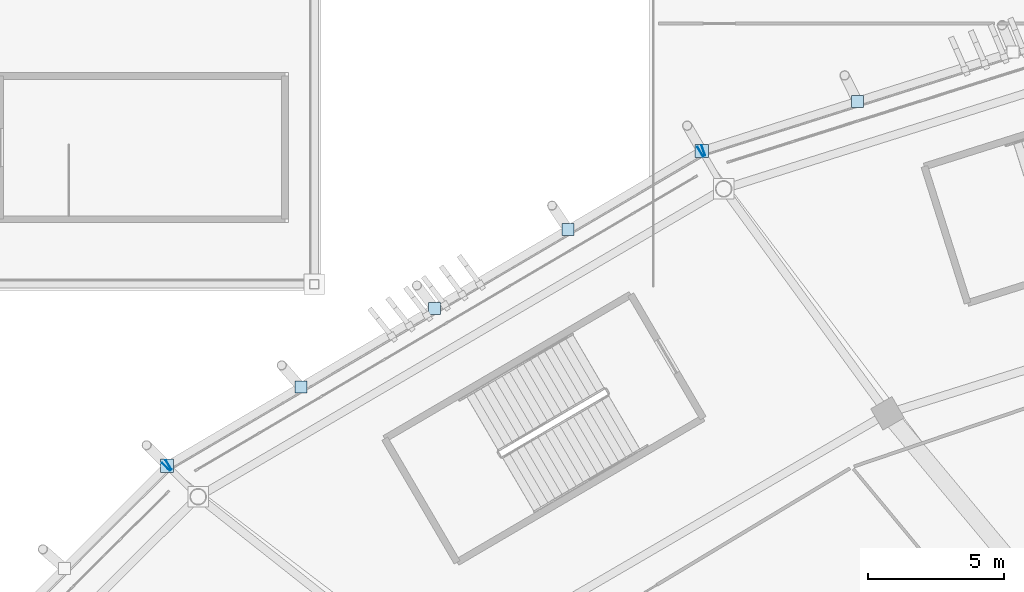
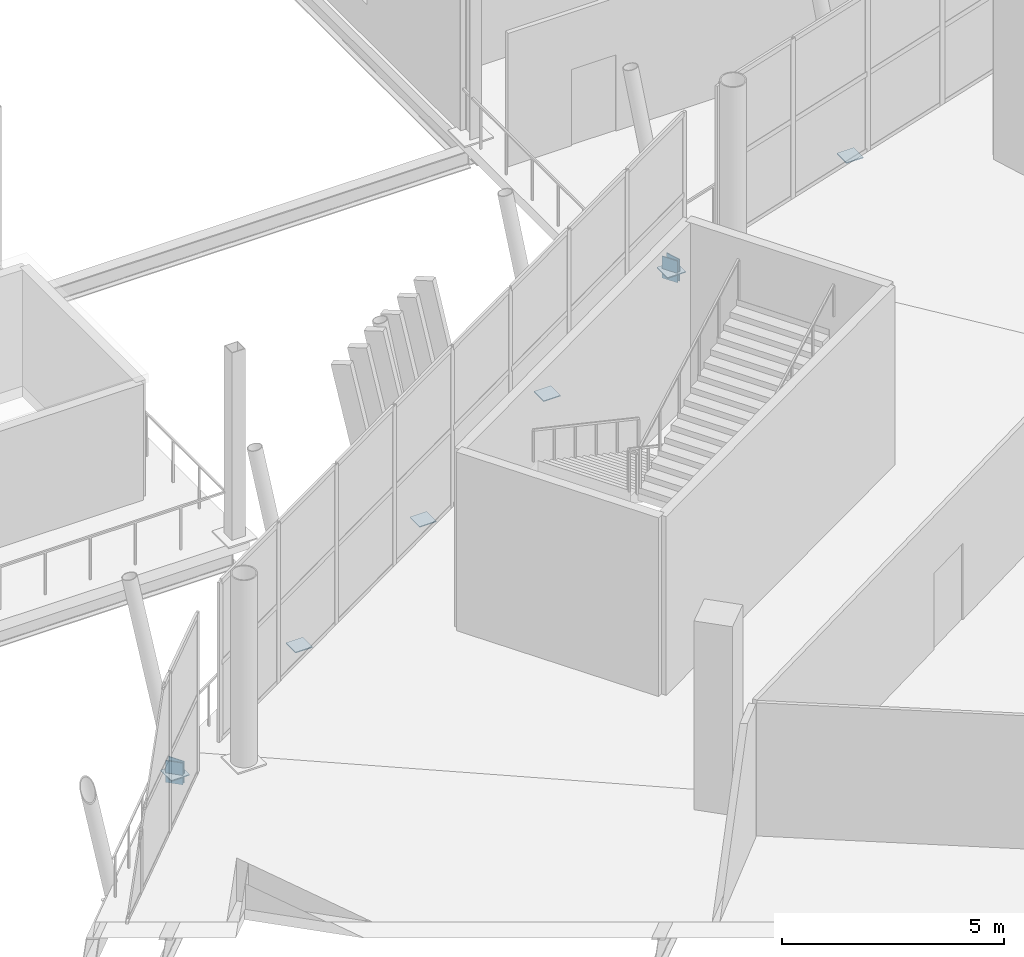
# One storey, part 115 of 178: 10 plates.
"""IFC4 building model written with IfcOpenShell, lengths in metres."""

from ifc_helpers import new_model, si_unit, direction, frame, origin, origin_2d, place, context, subcontext, project, spatial, rectangle, extrude, material, layer, layer_set, type_object, element, save


model = new_model("IFC4")

# Units and contexts
model_context = context("Model", 3, precision=1e-05, world=origin(), true_north=direction((0.0, 1.0)))
body_context = subcontext(model_context, "Body", "Model", "MODEL_VIEW")
ifc_project = project(units=[si_unit("LENGTHUNIT", "METRE"), si_unit("AREAUNIT", "SQUARE_METRE"), si_unit("VOLUMEUNIT", "CUBIC_METRE"), si_unit("PLANEANGLEUNIT", "RADIAN"), si_unit("MASSUNIT", "GRAM", prefix="KILO")], contexts=[model_context])

# Site, building, storey
site_placement = place(None, origin())
site = spatial("IfcSite", under=ifc_project, at=site_placement, CompositionType="ELEMENT")
building_placement = place(site_placement, origin())
building = spatial("IfcBuilding", under=site, at=building_placement, Name="Zlatoyarsky Gate Stadium", CompositionType="ELEMENT")
storey_placement = place(building_placement, frame((0.0, 0.0, 5.39990234375)))
storey = spatial("IfcBuildingStorey", under=building, at=storey_placement, Name="L01", CompositionType="ELEMENT", Elevation=5.39990234375)

# Plates
ifc_material = material(Name="Steel S355", Category="steel")
ifc_layer = layer(ifc_material, 0.02392578125)
ifc_layer_set = layer_set([ifc_layer], Name="Steel S355")
plate_type = type_object("IfcPlateType", Name="STEEL HOLLOW CHORD SPLICE SHEET 24", PredefinedType="SHEET", material=ifc_layer_set)
for number, where, z_axis, x_axis, name in (
    (1, (63.7529296875, 142.89892578125, -0.849853515625), (0.0, 0.0, 1.0), (-0.953005118522, -0.302954194674, 0.0), "Hollow end cap ND-SP1 CAP-L01-SPD-07 B"),
    (2, (63.64404296875, 142.850341796875, -0.849853515625), (0.0, 0.0, 1.0), (-0.861686983166, -0.507440186664, 0.0), "Hollow end cap ND-SP1 CAP-L01-SPD-08 A"),
    (3, (44.1533203125, 131.372314453125, -0.849853515625), (0.0, 0.0, 1.0), (-0.861686983166, -0.507440186664, 0.0), "Hollow end cap ND-SP1 CAP-L01-SPD-08 B"),
):
    element("IfcPlate", number, at=place(storey_placement, frame(where, z_axis=z_axis, x_axis=x_axis)), inside=storey, type_object=plate_type, Name=name, PredefinedType="SHEET", context=body_context, shape_type="SweptSolid", body=[
        extrude(rectangle(XDim=0.02392578125, YDim=0.39990234375, at=origin_2d()), origin(), (0.0, 0.0, 1.0), 0.60009765625),
    ])
plate_1_placement = place(storey_placement, frame((63.69580078125, 142.880859375, -0.61181640625), z_axis=(0.0, 0.0, 1.0), x_axis=(1.0, 0.0, 0.0)))
element("IfcPlate", 4, at=plate_1_placement, inside=storey, type_object=plate_type, Name="Node closure plate ND-SP1 NCAP-L01-RSTR-08", PredefinedType="SHEET", context=body_context, shape_type="SweptSolid", body=[
    extrude(rectangle(XDim=0.47998046875, YDim=0.47998046875, at=origin_2d()), origin(), (0.0, 0.0, 1.0), 0.02392578125),
])
plate_2_placement = place(storey_placement, frame((44.059326171875, 131.299560546875, -0.849853515625), z_axis=(0.0, 0.0, 1.0), x_axis=(-0.707043292995, -0.707170263678, 0.0)))
element("IfcPlate", 5, at=plate_2_placement, inside=storey, type_object=plate_type, Name="Hollow end cap ND-SP1 CAP-L01-SPD-09 A", PredefinedType="SHEET", context=body_context, shape_type="SweptSolid", body=[
    extrude(rectangle(XDim=0.02392578125, YDim=0.39990234375, at=origin_2d()), origin(), (0.0, 0.0, 1.0), 0.60009765625),
])
plate_3_placement = place(storey_placement, frame((44.101806640625, 131.342041015625, -0.61181640625), z_axis=(0.0, 0.0, 1.0), x_axis=(1.0, 0.0, 0.0)))
element("IfcPlate", 6, at=plate_3_placement, inside=storey, type_object=plate_type, Name="Node closure plate ND-SP1 NCAP-L01-RSTR-09", PredefinedType="SHEET", context=body_context, shape_type="SweptSolid", body=[
    extrude(rectangle(XDim=0.47998046875, YDim=0.47998046875, at=origin_2d()), origin(), (0.0, 0.0, 1.0), 0.02392578125),
])
for number, where, z_axis, x_axis, name in (
    (7, (69.400146484375, 144.694091796875, -0.561767578125), (0.0, 0.0, 1.0), (1.0, 0.0, 0.0), "Node closure plate ND-SP1 NCAP-RIB-07-3-0B"),
    (8, (58.79736328125, 139.99609375, -0.561767578125), (0.0, 0.0, 1.0), (1.0, 0.0, 0.0), "Node closure plate ND-SP1 NCAP-RIB-08-1-0B"),
    (9, (53.898681640625, 137.111328125, -0.561767578125), (0.0, 0.0, 1.0), (1.0, 0.0, 0.0), "Node closure plate ND-SP1 NCAP-RIB-08-2-0B"),
    (10, (49.000244140625, 134.226806640625, -0.561767578125), (0.0, 0.0, 1.0), (1.0, 0.0, 0.0), "Node closure plate ND-SP1 NCAP-RIB-08-3-0B"),
):
    element("IfcPlate", number, at=place(storey_placement, frame(where, z_axis=z_axis, x_axis=x_axis)), inside=storey, type_object=plate_type, Name=name, PredefinedType="SHEET", context=body_context, shape_type="SweptSolid", body=[
        extrude(rectangle(XDim=0.43994140625, YDim=0.43994140625, at=origin_2d()), origin(), (0.0, 0.0, 1.0), 0.02392578125),
    ])

save(model, "model.ifc")
